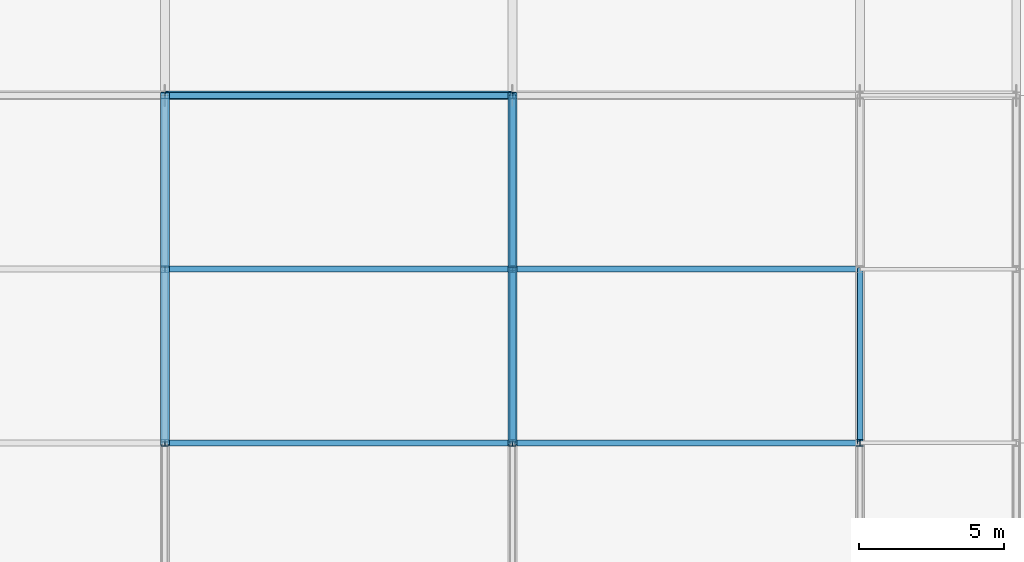
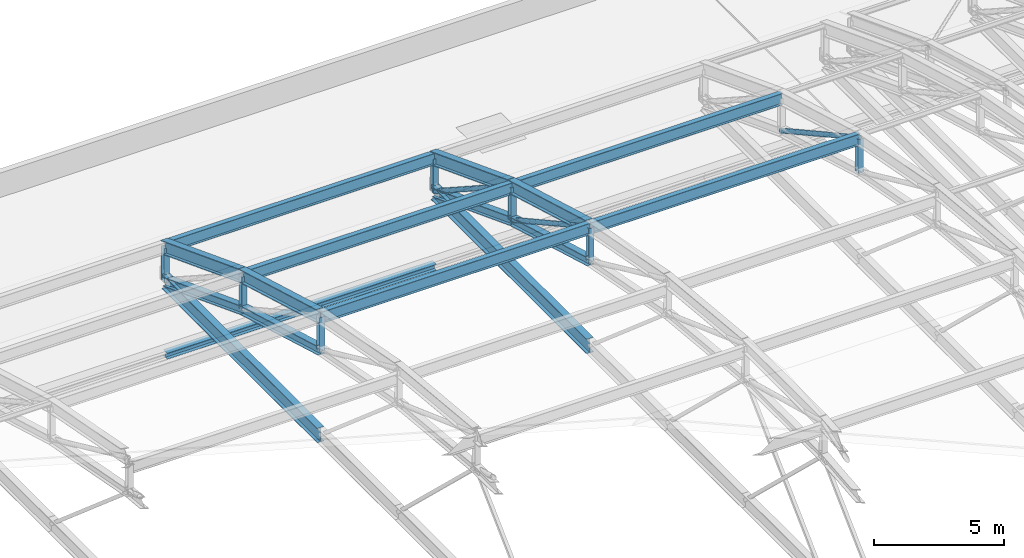
# One storey, part 146 of 204: 25 members, 1 beam.
"""IFC4 building model written with IfcOpenShell, lengths in metres."""

from ifc_helpers import new_model, si_unit, direction, frame, origin, origin_2d, place, context, subcontext, project, spatial, hollow_circle, i_section, extrude, material, material_profile, profile_set, type_object, element, save


model = new_model("IFC4")

# Units and contexts
model_context = context("Model", 3, precision=1e-05, world=origin(), true_north=direction((0.0, 1.0)))
body_context = subcontext(model_context, "Body", "Model", "MODEL_VIEW")
ifc_project = project(units=[si_unit("LENGTHUNIT", "METRE"), si_unit("AREAUNIT", "SQUARE_METRE"), si_unit("VOLUMEUNIT", "CUBIC_METRE"), si_unit("PLANEANGLEUNIT", "RADIAN"), si_unit("MASSUNIT", "GRAM", prefix="KILO")], contexts=[model_context])

# Site, building, storey
site_placement = place(None, origin())
site = spatial("IfcSite", under=ifc_project, at=site_placement, CompositionType="ELEMENT")
building_placement = place(site_placement, origin())
building = spatial("IfcBuilding", under=site, at=building_placement, Name="Zilviju Railside Exhibition Hall", CompositionType="ELEMENT")
storey_placement = place(building_placement, frame((0.0, 0.0, 21.0)))
storey = spatial("IfcBuildingStorey", under=building, at=storey_placement, Name="RF", CompositionType="ELEMENT", Elevation=21.0)

# Beam
ifc_material = material(Name="Steel S355J2", Category="steel")
ifc_material_profile_1 = material_profile(ifc_material, i_section(OverallWidth=0.300048828125, OverallDepth=0.2900390625, WebThickness=0.008544921875, FlangeThickness=0.013916015625, at=origin_2d()), Name="HEA 300")
ifc_profile_set_1 = profile_set([ifc_material_profile_1], Name="Steel S355J2")
beam_type = type_object("IfcBeamType", Name="BM-HEA300", PredefinedType="SPANDREL", material=ifc_profile_set_1)
beam_placement = place(storey_placement, frame((96.0, 138.0, -7.094970703125), z_axis=(1.0, 0.0, 0.0), x_axis=(0.0, 1.0, 0.0)))
element("IfcBeam", 1, at=beam_placement, inside=storey, type_object=beam_type, Name="Logistics Roof Beam Y=138.0 (96.0..108.0)", PredefinedType="SPANDREL", context=body_context, shape_type="SweptSolid", body=[
    extrude(i_section(OverallWidth=0.300048828125, OverallDepth=0.2900390625, WebThickness=0.008544921875, FlangeThickness=0.013916015625, at=origin_2d()), origin(), (0.0, 0.0, 1.0), 12.0),
])

# Members
ifc_material_profile_2 = material_profile(ifc_material, hollow_circle(Radius=0.109619140625, WallThickness=0.010009765625, at=origin_2d()), Name="CHS 219.1x10.0")
ifc_profile_set_2 = profile_set([ifc_material_profile_2], Name="Steel S355J2")
member_type_1 = type_object("IfcMemberType", Name="TR-BR-CHS219", PredefinedType="BRACE", material=ifc_profile_set_2)
member_1_placement = place(storey_placement, frame((108.0, 126.0, 2.009765625), z_axis=(0.0, 0.8750828143, -0.483973210122), x_axis=(-1.0, 0.0, 0.0)))
element("IfcMember", 2, at=member_1_placement, inside=storey, type_object=member_type_1, Name="V2 Parabolic Arch Web Diagonal X=108.0 P8", PredefinedType="BRACE", context=body_context, shape_type="SweptSolid", body=[
    extrude(hollow_circle(Radius=0.109619140625, WallThickness=0.010009765625, at=origin_2d()), origin(), (0.0, 0.0, 1.0), 6.8564453125),
])
member_2_placement = place(storey_placement, frame((108.0, 132.0, 0.291259765625), z_axis=(0.0, 0.838995406637, -0.544138500423), x_axis=(-1.0, 0.0, 0.0)))
element("IfcMember", 3, at=member_2_placement, inside=storey, type_object=member_type_1, Name="V2 Parabolic Arch Web Diagonal X=108.0 P9", PredefinedType="BRACE", context=body_context, shape_type="SweptSolid", body=[
    extrude(hollow_circle(Radius=0.109619140625, WallThickness=0.010009765625, at=origin_2d()), origin(), (0.0, 0.0, 1.0), 7.1513671875),
])
member_3_placement = place(storey_placement, frame((120.0, 126.0, 2.009765625), z_axis=(0.0, 0.8750828143, -0.483973210122), x_axis=(-1.0, 0.0, 0.0)))
element("IfcMember", 4, at=member_3_placement, inside=storey, type_object=member_type_1, Name="V2 Parabolic Arch Web Diagonal X=120.0 P8", PredefinedType="BRACE", context=body_context, shape_type="SweptSolid", body=[
    extrude(hollow_circle(Radius=0.109619140625, WallThickness=0.010009765625, at=origin_2d()), origin(), (0.0, 0.0, 1.0), 6.8564453125),
])
ifc_material_profile_3 = material_profile(ifc_material, i_section(OverallWidth=0.300048828125, OverallDepth=0.39990234375, WebThickness=0.013427734375, FlangeThickness=0.02392578125, at=origin_2d()), Name="HEB 400")
ifc_profile_set_3 = profile_set([ifc_material_profile_3], Name="Steel S355J2")
member_type_2 = type_object("IfcMemberType", Name="TR-CH-HEB400", PredefinedType="CHORD", material=ifc_profile_set_3)
member_4_placement = place(storey_placement, frame((96.0, 126.0, 0.409912109375), z_axis=(0.0, 0.961345133658, -0.275346207512), x_axis=(-1.0, 0.0, 0.0)))
element("IfcMember", 5, at=member_4_placement, inside=storey, type_object=member_type_2, Name="V2 Parabolic Arch Bottom Chord X=96.0 P8", PredefinedType="CHORD", context=body_context, shape_type="SweptSolid", body=[
    extrude(i_section(OverallWidth=0.300048828125, OverallDepth=0.39990234375, WebThickness=0.013427734375, FlangeThickness=0.02392578125, at=origin_2d()), origin(), (0.0, 0.0, 1.0), 6.2412109375),
])
member_5_placement = place(storey_placement, frame((96.0, 132.0, -1.30859375), z_axis=(0.0, 0.934187521086, -0.35678239229), x_axis=(-1.0, 0.0, 0.0)))
element("IfcMember", 6, at=member_5_placement, inside=storey, type_object=member_type_2, Name="V2 Parabolic Arch Bottom Chord X=96.0 P9", PredefinedType="CHORD", context=body_context, shape_type="SweptSolid", body=[
    extrude(i_section(OverallWidth=0.300048828125, OverallDepth=0.39990234375, WebThickness=0.013427734375, FlangeThickness=0.02392578125, at=origin_2d()), origin(), (0.0, 0.0, 1.0), 6.422607421875),
])
member_6_placement = place(storey_placement, frame((108.0, 126.0, 0.409912109375), z_axis=(0.0, 0.961345133658, -0.275346207512), x_axis=(-1.0, 0.0, 0.0)))
element("IfcMember", 7, at=member_6_placement, inside=storey, type_object=member_type_2, Name="V2 Parabolic Arch Bottom Chord X=108.0 P8", PredefinedType="CHORD", context=body_context, shape_type="SweptSolid", body=[
    extrude(i_section(OverallWidth=0.300048828125, OverallDepth=0.39990234375, WebThickness=0.013427734375, FlangeThickness=0.02392578125, at=origin_2d()), origin(), (0.0, 0.0, 1.0), 6.2412109375),
])
member_7_placement = place(storey_placement, frame((108.0, 132.0, -1.30859375), z_axis=(0.0, 0.934187521086, -0.35678239229), x_axis=(-1.0, 0.0, 0.0)))
element("IfcMember", 8, at=member_7_placement, inside=storey, type_object=member_type_2, Name="V2 Parabolic Arch Bottom Chord X=108.0 P9", PredefinedType="CHORD", context=body_context, shape_type="SweptSolid", body=[
    extrude(i_section(OverallWidth=0.300048828125, OverallDepth=0.39990234375, WebThickness=0.013427734375, FlangeThickness=0.02392578125, at=origin_2d()), origin(), (0.0, 0.0, 1.0), 6.422607421875),
])
ifc_material_profile_4 = material_profile(ifc_material, i_section(OverallWidth=0.300048828125, OverallDepth=0.60009765625, WebThickness=0.015380859375, FlangeThickness=0.030029296875, at=origin_2d()), Name="HEB 600")
ifc_profile_set_4 = profile_set([ifc_material_profile_4], Name="Steel S355J2")
member_type_3 = type_object("IfcMemberType", Name="TR-CH-HEB600", PredefinedType="CHORD", material=ifc_profile_set_4)
member_8_placement = place(storey_placement, frame((96.0, 126.0, 2.009765625), z_axis=(0.0, 0.961345133658, -0.275346207512), x_axis=(-1.0, 0.0, 0.0)))
element("IfcMember", 9, at=member_8_placement, inside=storey, type_object=member_type_3, Name="V2 Parabolic Arch Top Chord X=96.0 P8", PredefinedType="CHORD", context=body_context, shape_type="SweptSolid", body=[
    extrude(i_section(OverallWidth=0.300048828125, OverallDepth=0.60009765625, WebThickness=0.015380859375, FlangeThickness=0.030029296875, at=origin_2d()), origin(), (0.0, 0.0, 1.0), 6.2412109375),
])
member_9_placement = place(storey_placement, frame((96.0, 132.0, 0.291259765625), z_axis=(0.0, 0.934200190194, -0.356749218138), x_axis=(-1.0, 0.0, 0.0)))
element("IfcMember", 10, at=member_9_placement, inside=storey, type_object=member_type_3, Name="V2 Parabolic Arch Top Chord X=96.0 P9", PredefinedType="CHORD", context=body_context, shape_type="SweptSolid", body=[
    extrude(i_section(OverallWidth=0.300048828125, OverallDepth=0.60009765625, WebThickness=0.015380859375, FlangeThickness=0.030029296875, at=origin_2d()), origin(), (0.0, 0.0, 1.0), 6.422607421875),
])
member_10_placement = place(storey_placement, frame((108.0, 126.0, 2.009765625), z_axis=(0.0, 0.961345133658, -0.275346207512), x_axis=(-1.0, 0.0, 0.0)))
element("IfcMember", 11, at=member_10_placement, inside=storey, type_object=member_type_3, Name="V2 Parabolic Arch Top Chord X=108.0 P8", PredefinedType="CHORD", context=body_context, shape_type="SweptSolid", body=[
    extrude(i_section(OverallWidth=0.300048828125, OverallDepth=0.60009765625, WebThickness=0.015380859375, FlangeThickness=0.030029296875, at=origin_2d()), origin(), (0.0, 0.0, 1.0), 6.2412109375),
])
member_11_placement = place(storey_placement, frame((108.0, 132.0, 0.291259765625), z_axis=(0.0, 0.934200190194, -0.356749218138), x_axis=(-1.0, 0.0, 0.0)))
element("IfcMember", 12, at=member_11_placement, inside=storey, type_object=member_type_3, Name="V2 Parabolic Arch Top Chord X=108.0 P9", PredefinedType="CHORD", context=body_context, shape_type="SweptSolid", body=[
    extrude(i_section(OverallWidth=0.300048828125, OverallDepth=0.60009765625, WebThickness=0.015380859375, FlangeThickness=0.030029296875, at=origin_2d()), origin(), (0.0, 0.0, 1.0), 6.422607421875),
])
ifc_material_profile_5 = material_profile(ifc_material, i_section(OverallWidth=0.239990234375, OverallDepth=0.22998046875, WebThickness=0.007568359375, FlangeThickness=0.011962890625, at=origin_2d()), Name="HEA 240")
ifc_profile_set_5 = profile_set([ifc_material_profile_5], Name="Steel S355J2")
member_type_4 = type_object("IfcMemberType", Name="TR-POST-HEA240", PredefinedType="POST", material=ifc_profile_set_5)
for number, where, z_axis, x_axis, name in (
    (13, (96.0, 126.0, 0.409912109375), (0.0, 0.0, 1.0), (1.0, 0.0, 0.0), "V2 Parabolic Arch Web Post X=96.0 N7"),
    (14, (96.0, 132.0, -1.30859375), (0.0, 0.0, 1.0), (1.0, 0.0, 0.0), "V2 Parabolic Arch Web Post X=96.0 N8"),
):
    element("IfcMember", number, at=place(storey_placement, frame(where, z_axis=z_axis, x_axis=x_axis)), inside=storey, type_object=member_type_4, Name=name, PredefinedType="POST", context=body_context, shape_type="SweptSolid", body=[
        extrude(i_section(OverallWidth=0.239990234375, OverallDepth=0.22998046875, WebThickness=0.007568359375, FlangeThickness=0.011962890625, at=origin_2d()), origin(), (0.0, 0.0, 1.0), 1.599853515625),
    ])
member_12_placement = place(storey_placement, frame((96.0, 138.0, -3.60009765625), z_axis=(0.0, 0.0, 1.0), x_axis=(1.0, 0.0, 0.0)))
element("IfcMember", 15, at=member_12_placement, inside=storey, type_object=member_type_4, Name="V2 Parabolic Arch Web Post X=96.0 N9", PredefinedType="POST", context=body_context, shape_type="SweptSolid", body=[
    extrude(i_section(OverallWidth=0.239990234375, OverallDepth=0.22998046875, WebThickness=0.007568359375, FlangeThickness=0.011962890625, at=origin_2d()), origin(), (0.0, 0.0, 1.0), 1.60009765625),
])
for number, where, z_axis, x_axis, name in (
    (16, (108.0, 126.0, 0.409912109375), (0.0, 0.0, 1.0), (1.0, 0.0, 0.0), "V2 Parabolic Arch Web Post X=108.0 N7"),
    (17, (108.0, 132.0, -1.30859375), (0.0, 0.0, 1.0), (1.0, 0.0, 0.0), "V2 Parabolic Arch Web Post X=108.0 N8"),
):
    element("IfcMember", number, at=place(storey_placement, frame(where, z_axis=z_axis, x_axis=x_axis)), inside=storey, type_object=member_type_4, Name=name, PredefinedType="POST", context=body_context, shape_type="SweptSolid", body=[
        extrude(i_section(OverallWidth=0.239990234375, OverallDepth=0.22998046875, WebThickness=0.007568359375, FlangeThickness=0.011962890625, at=origin_2d()), origin(), (0.0, 0.0, 1.0), 1.599853515625),
    ])
member_13_placement = place(storey_placement, frame((108.0, 138.0, -3.60009765625), z_axis=(0.0, 0.0, 1.0), x_axis=(1.0, 0.0, 0.0)))
element("IfcMember", 18, at=member_13_placement, inside=storey, type_object=member_type_4, Name="V2 Parabolic Arch Web Post X=108.0 N9", PredefinedType="POST", context=body_context, shape_type="SweptSolid", body=[
    extrude(i_section(OverallWidth=0.239990234375, OverallDepth=0.22998046875, WebThickness=0.007568359375, FlangeThickness=0.011962890625, at=origin_2d()), origin(), (0.0, 0.0, 1.0), 1.60009765625),
])
member_14_placement = place(storey_placement, frame((120.0, 126.0, 0.409912109375), z_axis=(0.0, 0.0, 1.0), x_axis=(1.0, 0.0, 0.0)))
element("IfcMember", 19, at=member_14_placement, inside=storey, type_object=member_type_4, Name="V2 Parabolic Arch Web Post X=120.0 N7", PredefinedType="POST", context=body_context, shape_type="SweptSolid", body=[
    extrude(i_section(OverallWidth=0.239990234375, OverallDepth=0.22998046875, WebThickness=0.007568359375, FlangeThickness=0.011962890625, at=origin_2d()), origin(), (0.0, 0.0, 1.0), 1.599853515625),
])
ifc_material_profile_6 = material_profile(ifc_material, i_section(OverallWidth=0.2099609375, OverallDepth=0.550048828125, WebThickness=0.010986328125, FlangeThickness=0.01708984375, at=origin_2d()), Name="IPE 550")
ifc_profile_set_6 = profile_set([ifc_material_profile_6], Name="Steel S355J2")
member_type_5 = type_object("IfcMemberType", Name="TR-PUR-IPE550", PredefinedType="PURLIN", material=ifc_profile_set_6)
for number, where, z_axis, x_axis, name in (
    (20, (96.0, 126.0, 1.97509765625), (1.0, 0.0, 0.0), (0.0, 1.0, 0.0), "V2 Barrel Vault Roof Purlin Y=126.0 (96.0..108.0)"),
    (21, (96.0, 132.0, 0.239501953125), (1.0, 0.0, 0.0), (0.0, 1.0, 0.0), "V2 Barrel Vault Roof Purlin Y=132.0 (96.0..108.0)"),
    (22, (96.0, 138.0, -2.011962890625), (1.0, 0.0, 0.0), (0.0, 1.0, 0.0), "V2 Barrel Vault Roof Purlin Y=138.0 (96.0..108.0)"),
    (23, (108.0, 126.0, 1.97509765625), (1.0, 0.0, 0.0), (0.0, 1.0, 0.0), "V2 Barrel Vault Roof Purlin Y=126.0 (108.0..120.0)"),
    (24, (108.0, 132.0, 0.239501953125), (1.0, 0.0, 0.0), (0.0, 1.0, 0.0), "V2 Barrel Vault Roof Purlin Y=132.0 (108.0..120.0)"),
):
    element("IfcMember", number, at=place(storey_placement, frame(where, z_axis=z_axis, x_axis=x_axis)), inside=storey, type_object=member_type_5, Name=name, PredefinedType="PURLIN", context=body_context, shape_type="SweptSolid", body=[
        extrude(i_section(OverallWidth=0.2099609375, OverallDepth=0.550048828125, WebThickness=0.010986328125, FlangeThickness=0.01708984375, at=origin_2d()), origin(), (0.0, 0.0, 1.0), 12.0),
    ])
ifc_material_profile_7 = material_profile(ifc_material, i_section(OverallWidth=0.300048828125, OverallDepth=0.699951171875, WebThickness=0.01708984375, FlangeThickness=0.031982421875, at=origin_2d()), Name="HEB 700")
ifc_profile_set_7 = profile_set([ifc_material_profile_7], Name="Steel S355J2")
member_type_6 = type_object("IfcMemberType", Name="TR-TIE-HEB700", PredefinedType="CHORD", material=ifc_profile_set_7)
for number, where, z_axis, x_axis, name in (
    (25, (96.0, 126.0, -3.60009765625), (0.0, 1.0, 0.0), (-1.0, 0.0, 0.0), "V2 Arch Tie Member X=96.0"),
    (26, (108.0, 126.0, -3.60009765625), (0.0, 1.0, 0.0), (-1.0, 0.0, 0.0), "V2 Arch Tie Member X=108.0"),
):
    element("IfcMember", number, at=place(storey_placement, frame(where, z_axis=z_axis, x_axis=x_axis)), inside=storey, type_object=member_type_6, Name=name, PredefinedType="CHORD", context=body_context, shape_type="SweptSolid", body=[
        extrude(i_section(OverallWidth=0.300048828125, OverallDepth=0.699951171875, WebThickness=0.01708984375, FlangeThickness=0.031982421875, at=origin_2d()), origin(), (0.0, 0.0, 1.0), 12.0),
    ])

save(model, "model.ifc")
